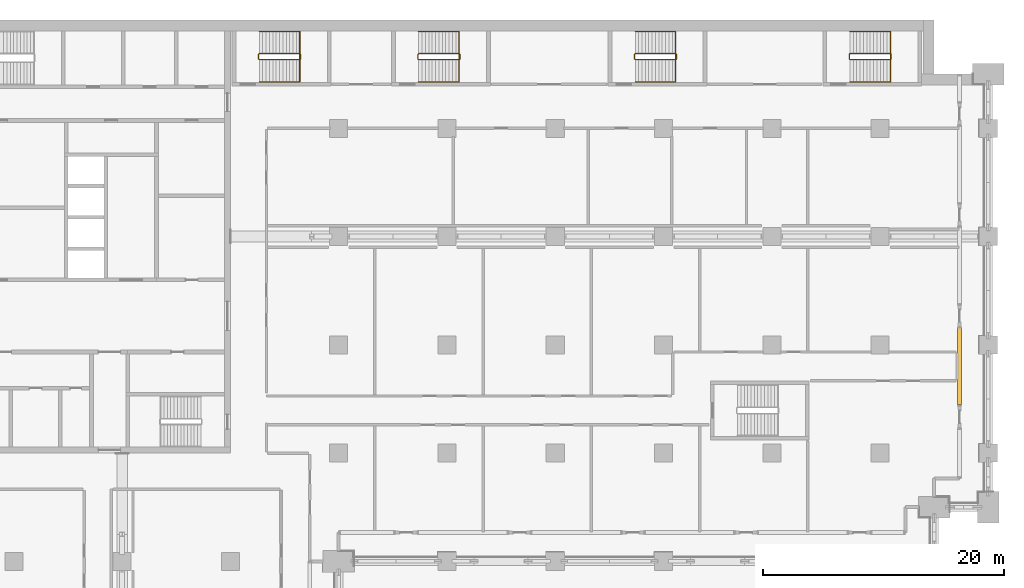
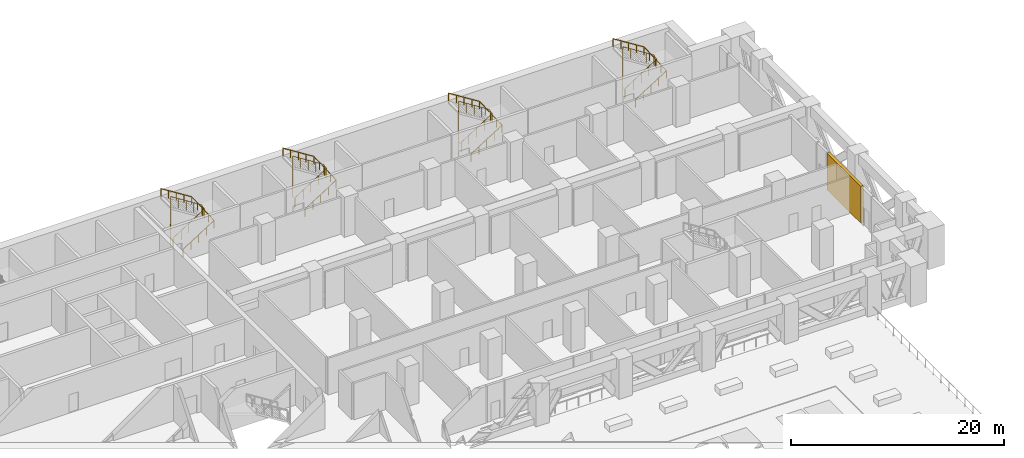
# One storey, part 30 of 31: 8 railings, 1 shading device.
"""IFC4 building model written with IfcOpenShell, lengths in metres."""

from ifc_helpers import new_model, si_unit, direction, frame, origin, origin_2d, place, context, subcontext, project, spatial, rectangle, circle, extrude, material, layer, layer_set, type_object, element, save


model = new_model("IFC4")

# Units and contexts
model_context = context("Model", 3, precision=1e-05, world=origin(), true_north=direction((0.0, 1.0)))
body_context = subcontext(model_context, "Body", "Model", "MODEL_VIEW")
ifc_project = project(units=[si_unit("LENGTHUNIT", "METRE"), si_unit("AREAUNIT", "SQUARE_METRE"), si_unit("VOLUMEUNIT", "CUBIC_METRE"), si_unit("PLANEANGLEUNIT", "RADIAN"), si_unit("MASSUNIT", "GRAM", prefix="KILO")], contexts=[model_context])

# Site, building, storey
site_placement = place(None, origin())
site = spatial("IfcSite", under=ifc_project, at=site_placement, CompositionType="ELEMENT")
building_placement = place(site_placement, origin())
building = spatial("IfcBuilding", under=site, at=building_placement, Name="Hunhe Ridgeline Campus", CompositionType="ELEMENT")
storey_placement = place(building_placement, frame((0.0, 0.0, 31.199951171875)))
storey = spatial("IfcBuildingStorey", under=building, at=storey_placement, Name="L06", CompositionType="ELEMENT", Elevation=31.199951171875)

# Shading device
ifc_material_1 = material(Name="Aluminium 6063", Category="aluminium")
ifc_layer = layer(ifc_material_1, 0.300048828125)
ifc_layer_set = layer_set([ifc_layer], Name="Louvre bank 300 Aluminium 6063")
shading_device_type = type_object("IfcShadingDeviceType", Name="Louvre bank 300 Aluminium 6063", PredefinedType="USERDEFINED", material=ifc_layer_set)
shading_device_placement = place(storey_placement, frame((96.59912109375, 70.20068359375, 0.0), z_axis=(0.0, 0.0, 1.0), x_axis=(0.0, 1.0, 0.0)))
element("IfcShadingDevice", 1, at=shading_device_placement, inside=storey, type_object=shading_device_type, Name="Louvre bank 28", ObjectType="LOUVRE", PredefinedType="USERDEFINED", context=body_context, shape_type="SweptSolid", body=[
    extrude(rectangle(XDim=6.35986328125, YDim=0.300048828125, at=origin_2d()), origin(), (0.0, 0.0, 1.0), 4.199951171875),
])

# Railings
ifc_material_2 = material(Name="Stainless steel balustrade", Category="steel")
railing_type_1 = type_object("IfcRailingType", Name="Stair guard 1100 stainless", PredefinedType="GUARDRAIL", material=ifc_material_2)
railing_1_placement = place(storey_placement, frame((38.39990234375, 95.699951171875, 0.177001953125)))
element("IfcRailing", 2, at=railing_1_placement, inside=storey, type_object=railing_type_1, Name="L06 stair E1 guard", PredefinedType="GUARDRAIL", context=body_context, shape_type="SweptSolid", body=[
    extrude(circle(Radius=0.02392578125, at=origin_2d()), frame((0.0, 0.0, 1.076171875), z_axis=(0.845389635667, 0.0, 0.534150132366), x_axis=(0.0, 1.0, 0.0)), (0.0, 0.0, 1.0), 3.974609375),
    extrude(circle(Radius=0.02392578125, at=origin_2d()), frame((3.360107421875, 0.0, 3.19921875), z_axis=(0.707106781187, 0.707106781187, 0.0), x_axis=(-0.707106781187, 0.707106781187, 0.0)), (0.0, 0.0, 1.0), 0.07080078125),
    extrude(circle(Radius=0.02392578125, at=origin_2d()), frame((3.41015625, 0.050048828125, 3.19921875), z_axis=(0.0, 1.0, 0.0), x_axis=(-1.0, 0.0, 0.0)), (0.0, 0.0, 1.0), 0.39990234375),
    extrude(circle(Radius=0.02392578125, at=origin_2d()), frame((3.41015625, 0.449951171875, 3.19921875), z_axis=(-0.262545553595, 0.262545553595, 0.928514762713), x_axis=(-0.707106781187, -0.707106781187, 0.0)), (0.0, 0.0, 1.0), 0.190673828125),
    extrude(circle(Radius=0.02392578125, at=origin_2d()), frame((3.360107421875, 0.5, 3.3759765625), z_axis=(-0.845389635667, 0.0, 0.534150132366), x_axis=(0.0, -1.0, 0.0)), (0.0, 0.0, 1.0), 3.974609375),
    extrude(circle(Radius=0.02392578125, at=origin_2d()), frame((0.0, 0.5, 5.4990234375), z_axis=(-0.010825600977, -0.010878667648, -0.999882223541), x_axis=(0.708833529934, -0.705375805398, 0.0)), (0.0, 0.0, 1.0), 4.6005859375),
    extrude(circle(Radius=0.02392578125, at=origin_2d()), frame((-0.0498046875, 0.449951171875, 0.89892578125), z_axis=(0.0, -1.0, 0.0), x_axis=(1.0, 0.0, 0.0)), (0.0, 0.0, 1.0), 0.39990234375),
    extrude(circle(Radius=0.02099609375, at=origin_2d()), origin(), (0.0, 0.0, 1.0), 1.052001953125),
    extrude(circle(Radius=0.02099609375, at=origin_2d()), frame((0.840087890625, 0.0, 0.53076171875)), (0.0, 0.0, 1.0), 1.052001953125),
    extrude(circle(Radius=0.02099609375, at=origin_2d()), frame((1.68017578125, 0.0, 1.0615234375)), (0.0, 0.0, 1.0), 1.052001953125),
    extrude(circle(Radius=0.02099609375, at=origin_2d()), frame((2.52001953125, 0.0, 1.59228515625)), (0.0, 0.0, 1.0), 1.052001953125),
    extrude(circle(Radius=0.02099609375, at=origin_2d()), frame((3.360107421875, 0.0, 2.123046875)), (0.0, 0.0, 1.0), 1.052001953125),
    extrude(circle(Radius=0.02099609375, at=origin_2d()), frame((3.41015625, 0.050048828125, 2.123046875)), (0.0, 0.0, 1.0), 1.052001953125),
    extrude(circle(Radius=0.02099609375, at=origin_2d()), frame((3.41015625, 0.449951171875, 2.123046875)), (0.0, 0.0, 1.0), 1.052001953125),
    extrude(circle(Radius=0.02099609375, at=origin_2d()), frame((3.360107421875, 0.5, 2.300048828125)), (0.0, 0.0, 1.0), 1.052001953125),
    extrude(circle(Radius=0.02099609375, at=origin_2d()), frame((2.52001953125, 0.5, 2.830810546875)), (0.0, 0.0, 1.0), 1.052001953125),
    extrude(circle(Radius=0.02099609375, at=origin_2d()), frame((1.68017578125, 0.5, 3.361572265625)), (0.0, 0.0, 1.0), 1.052001953125),
    extrude(circle(Radius=0.02099609375, at=origin_2d()), frame((0.840087890625, 0.5, 3.892333984375)), (0.0, 0.0, 1.0), 1.052001953125),
    extrude(circle(Radius=0.02099609375, at=origin_2d()), frame((0.0, 0.5, 4.423095703125)), (0.0, 0.0, 1.0), 1.052001953125),
    extrude(circle(Radius=0.02099609375, at=origin_2d()), frame((-0.012451171875, 0.487548828125, 3.27294921875)), (0.0, 0.0, 1.0), 1.052001953125),
    extrude(circle(Radius=0.02099609375, at=origin_2d()), frame((-0.02490234375, 0.47509765625, 2.123046875)), (0.0, 0.0, 1.0), 1.052001953125),
    extrude(circle(Radius=0.02099609375, at=origin_2d()), frame((-0.037353515625, 0.46240234375, 0.97314453125)), (0.0, 0.0, 1.0), 1.052001953125),
    extrude(circle(Radius=0.02099609375, at=origin_2d()), frame((-0.0498046875, 0.449951171875, -0.177001953125)), (0.0, 0.0, 1.0), 1.052001953125),
    extrude(circle(Radius=0.02099609375, at=origin_2d()), frame((-0.0498046875, 0.050048828125, -0.177001953125)), (0.0, 0.0, 1.0), 1.052001953125),
])
railing_2_placement = place(storey_placement, frame((51.64990234375, 95.699951171875, 0.177001953125)))
element("IfcRailing", 3, at=railing_2_placement, inside=storey, type_object=railing_type_1, Name="L06 stair E2 guard", PredefinedType="GUARDRAIL", context=body_context, shape_type="SweptSolid", body=[
    extrude(circle(Radius=0.02392578125, at=origin_2d()), frame((0.0, 0.0, 1.076171875), z_axis=(0.845389635667, 0.0, 0.534150132366), x_axis=(0.0, 1.0, 0.0)), (0.0, 0.0, 1.0), 3.974609375),
    extrude(circle(Radius=0.02392578125, at=origin_2d()), frame((3.360107421875, 0.0, 3.19921875), z_axis=(0.707106781187, 0.707106781187, 0.0), x_axis=(-0.707106781187, 0.707106781187, 0.0)), (0.0, 0.0, 1.0), 0.07080078125),
    extrude(circle(Radius=0.02392578125, at=origin_2d()), frame((3.41015625, 0.050048828125, 3.19921875), z_axis=(0.0, 1.0, 0.0), x_axis=(-1.0, 0.0, 0.0)), (0.0, 0.0, 1.0), 0.39990234375),
    extrude(circle(Radius=0.02392578125, at=origin_2d()), frame((3.41015625, 0.449951171875, 3.19921875), z_axis=(-0.262545553595, 0.262545553595, 0.928514762713), x_axis=(-0.707106781187, -0.707106781187, 0.0)), (0.0, 0.0, 1.0), 0.190673828125),
    extrude(circle(Radius=0.02392578125, at=origin_2d()), frame((3.360107421875, 0.5, 3.3759765625), z_axis=(-0.845389635667, 0.0, 0.534150132366), x_axis=(0.0, -1.0, 0.0)), (0.0, 0.0, 1.0), 3.974609375),
    extrude(circle(Radius=0.02392578125, at=origin_2d()), frame((0.0, 0.5, 5.4990234375), z_axis=(-0.010825600977, -0.010878667648, -0.999882223541), x_axis=(0.708833529934, -0.705375805398, 0.0)), (0.0, 0.0, 1.0), 4.6005859375),
    extrude(circle(Radius=0.02392578125, at=origin_2d()), frame((-0.0498046875, 0.449951171875, 0.89892578125), z_axis=(0.0, -1.0, 0.0), x_axis=(1.0, 0.0, 0.0)), (0.0, 0.0, 1.0), 0.39990234375),
    extrude(circle(Radius=0.02099609375, at=origin_2d()), origin(), (0.0, 0.0, 1.0), 1.052001953125),
    extrude(circle(Radius=0.02099609375, at=origin_2d()), frame((0.840087890625, 0.0, 0.53076171875)), (0.0, 0.0, 1.0), 1.052001953125),
    extrude(circle(Radius=0.02099609375, at=origin_2d()), frame((1.68017578125, 0.0, 1.0615234375)), (0.0, 0.0, 1.0), 1.052001953125),
    extrude(circle(Radius=0.02099609375, at=origin_2d()), frame((2.52001953125, 0.0, 1.59228515625)), (0.0, 0.0, 1.0), 1.052001953125),
    extrude(circle(Radius=0.02099609375, at=origin_2d()), frame((3.360107421875, 0.0, 2.123046875)), (0.0, 0.0, 1.0), 1.052001953125),
    extrude(circle(Radius=0.02099609375, at=origin_2d()), frame((3.41015625, 0.050048828125, 2.123046875)), (0.0, 0.0, 1.0), 1.052001953125),
    extrude(circle(Radius=0.02099609375, at=origin_2d()), frame((3.41015625, 0.449951171875, 2.123046875)), (0.0, 0.0, 1.0), 1.052001953125),
    extrude(circle(Radius=0.02099609375, at=origin_2d()), frame((3.360107421875, 0.5, 2.300048828125)), (0.0, 0.0, 1.0), 1.052001953125),
    extrude(circle(Radius=0.02099609375, at=origin_2d()), frame((2.52001953125, 0.5, 2.830810546875)), (0.0, 0.0, 1.0), 1.052001953125),
    extrude(circle(Radius=0.02099609375, at=origin_2d()), frame((1.68017578125, 0.5, 3.361572265625)), (0.0, 0.0, 1.0), 1.052001953125),
    extrude(circle(Radius=0.02099609375, at=origin_2d()), frame((0.840087890625, 0.5, 3.892333984375)), (0.0, 0.0, 1.0), 1.052001953125),
    extrude(circle(Radius=0.02099609375, at=origin_2d()), frame((0.0, 0.5, 4.423095703125)), (0.0, 0.0, 1.0), 1.052001953125),
    extrude(circle(Radius=0.02099609375, at=origin_2d()), frame((-0.012451171875, 0.487548828125, 3.27294921875)), (0.0, 0.0, 1.0), 1.052001953125),
    extrude(circle(Radius=0.02099609375, at=origin_2d()), frame((-0.02490234375, 0.47509765625, 2.123046875)), (0.0, 0.0, 1.0), 1.052001953125),
    extrude(circle(Radius=0.02099609375, at=origin_2d()), frame((-0.037353515625, 0.46240234375, 0.97314453125)), (0.0, 0.0, 1.0), 1.052001953125),
    extrude(circle(Radius=0.02099609375, at=origin_2d()), frame((-0.0498046875, 0.449951171875, -0.177001953125)), (0.0, 0.0, 1.0), 1.052001953125),
    extrude(circle(Radius=0.02099609375, at=origin_2d()), frame((-0.0498046875, 0.050048828125, -0.177001953125)), (0.0, 0.0, 1.0), 1.052001953125),
])
railing_3_placement = place(storey_placement, frame((69.64990234375, 95.699951171875, 0.177001953125)))
element("IfcRailing", 4, at=railing_3_placement, inside=storey, type_object=railing_type_1, Name="L06 stair E3 guard", PredefinedType="GUARDRAIL", context=body_context, shape_type="SweptSolid", body=[
    extrude(circle(Radius=0.02392578125, at=origin_2d()), frame((0.0, 0.0, 1.076171875), z_axis=(0.845389635667, 0.0, 0.534150132366), x_axis=(0.0, 1.0, 0.0)), (0.0, 0.0, 1.0), 3.974609375),
    extrude(circle(Radius=0.02392578125, at=origin_2d()), frame((3.360107421875, 0.0, 3.19921875), z_axis=(0.707106781187, 0.707106781187, 0.0), x_axis=(-0.707106781187, 0.707106781187, 0.0)), (0.0, 0.0, 1.0), 0.07080078125),
    extrude(circle(Radius=0.02392578125, at=origin_2d()), frame((3.41015625, 0.050048828125, 3.19921875), z_axis=(0.0, 1.0, 0.0), x_axis=(-1.0, 0.0, 0.0)), (0.0, 0.0, 1.0), 0.39990234375),
    extrude(circle(Radius=0.02392578125, at=origin_2d()), frame((3.41015625, 0.449951171875, 3.19921875), z_axis=(-0.262545553595, 0.262545553595, 0.928514762713), x_axis=(-0.707106781187, -0.707106781187, 0.0)), (0.0, 0.0, 1.0), 0.190673828125),
    extrude(circle(Radius=0.02392578125, at=origin_2d()), frame((3.360107421875, 0.5, 3.3759765625), z_axis=(-0.845389635667, 0.0, 0.534150132366), x_axis=(0.0, -1.0, 0.0)), (0.0, 0.0, 1.0), 3.974609375),
    extrude(circle(Radius=0.02392578125, at=origin_2d()), frame((0.0, 0.5, 5.4990234375), z_axis=(-0.010825600977, -0.010878667648, -0.999882223541), x_axis=(0.708833529934, -0.705375805398, 0.0)), (0.0, 0.0, 1.0), 4.6005859375),
    extrude(circle(Radius=0.02392578125, at=origin_2d()), frame((-0.0498046875, 0.449951171875, 0.89892578125), z_axis=(0.0, -1.0, 0.0), x_axis=(1.0, 0.0, 0.0)), (0.0, 0.0, 1.0), 0.39990234375),
    extrude(circle(Radius=0.02099609375, at=origin_2d()), origin(), (0.0, 0.0, 1.0), 1.052001953125),
    extrude(circle(Radius=0.02099609375, at=origin_2d()), frame((0.840087890625, 0.0, 0.53076171875)), (0.0, 0.0, 1.0), 1.052001953125),
    extrude(circle(Radius=0.02099609375, at=origin_2d()), frame((1.68017578125, 0.0, 1.0615234375)), (0.0, 0.0, 1.0), 1.052001953125),
    extrude(circle(Radius=0.02099609375, at=origin_2d()), frame((2.52001953125, 0.0, 1.59228515625)), (0.0, 0.0, 1.0), 1.052001953125),
    extrude(circle(Radius=0.02099609375, at=origin_2d()), frame((3.360107421875, 0.0, 2.123046875)), (0.0, 0.0, 1.0), 1.052001953125),
    extrude(circle(Radius=0.02099609375, at=origin_2d()), frame((3.41015625, 0.050048828125, 2.123046875)), (0.0, 0.0, 1.0), 1.052001953125),
    extrude(circle(Radius=0.02099609375, at=origin_2d()), frame((3.41015625, 0.449951171875, 2.123046875)), (0.0, 0.0, 1.0), 1.052001953125),
    extrude(circle(Radius=0.02099609375, at=origin_2d()), frame((3.360107421875, 0.5, 2.300048828125)), (0.0, 0.0, 1.0), 1.052001953125),
    extrude(circle(Radius=0.02099609375, at=origin_2d()), frame((2.52001953125, 0.5, 2.830810546875)), (0.0, 0.0, 1.0), 1.052001953125),
    extrude(circle(Radius=0.02099609375, at=origin_2d()), frame((1.68017578125, 0.5, 3.361572265625)), (0.0, 0.0, 1.0), 1.052001953125),
    extrude(circle(Radius=0.02099609375, at=origin_2d()), frame((0.840087890625, 0.5, 3.892333984375)), (0.0, 0.0, 1.0), 1.052001953125),
    extrude(circle(Radius=0.02099609375, at=origin_2d()), frame((0.0, 0.5, 4.423095703125)), (0.0, 0.0, 1.0), 1.052001953125),
    extrude(circle(Radius=0.02099609375, at=origin_2d()), frame((-0.012451171875, 0.487548828125, 3.27294921875)), (0.0, 0.0, 1.0), 1.052001953125),
    extrude(circle(Radius=0.02099609375, at=origin_2d()), frame((-0.02490234375, 0.47509765625, 2.123046875)), (0.0, 0.0, 1.0), 1.052001953125),
    extrude(circle(Radius=0.02099609375, at=origin_2d()), frame((-0.037353515625, 0.46240234375, 0.97314453125)), (0.0, 0.0, 1.0), 1.052001953125),
    extrude(circle(Radius=0.02099609375, at=origin_2d()), frame((-0.0498046875, 0.449951171875, -0.177001953125)), (0.0, 0.0, 1.0), 1.052001953125),
    extrude(circle(Radius=0.02099609375, at=origin_2d()), frame((-0.0498046875, 0.050048828125, -0.177001953125)), (0.0, 0.0, 1.0), 1.052001953125),
])
railing_4_placement = place(storey_placement, frame((87.5, 95.699951171875, 0.177001953125)))
element("IfcRailing", 5, at=railing_4_placement, inside=storey, type_object=railing_type_1, Name="L06 stair E4 guard", PredefinedType="GUARDRAIL", context=body_context, shape_type="SweptSolid", body=[
    extrude(circle(Radius=0.02392578125, at=origin_2d()), frame((0.0, 0.0, 1.076171875), z_axis=(0.845389635667, 0.0, 0.534150132366), x_axis=(0.0, 1.0, 0.0)), (0.0, 0.0, 1.0), 3.974609375),
    extrude(circle(Radius=0.02392578125, at=origin_2d()), frame((3.360107421875, 0.0, 3.19921875), z_axis=(0.705375805398, 0.708833529934, 0.0), x_axis=(-0.708833529934, 0.705375805398, 0.0)), (0.0, 0.0, 1.0), 0.070556640625),
    extrude(circle(Radius=0.02392578125, at=origin_2d()), frame((3.409912109375, 0.050048828125, 3.19921875), z_axis=(0.0, 1.0, 0.0), x_axis=(-1.0, 0.0, 0.0)), (0.0, 0.0, 1.0), 0.39990234375),
    extrude(circle(Radius=0.02392578125, at=origin_2d()), frame((3.409912109375, 0.449951171875, 3.19921875), z_axis=(-0.261352522353, 0.262633662168, 0.928826366204), x_axis=(-0.708833529934, -0.705375805398, 0.0)), (0.0, 0.0, 1.0), 0.190673828125),
    extrude(circle(Radius=0.02392578125, at=origin_2d()), frame((3.360107421875, 0.5, 3.3759765625), z_axis=(-0.845389635667, 0.0, 0.534150132366), x_axis=(0.0, -1.0, 0.0)), (0.0, 0.0, 1.0), 3.974609375),
    extrude(circle(Radius=0.02392578125, at=origin_2d()), frame((0.0, 0.5, 5.4990234375), z_axis=(-0.010878661383, -0.010878661383, -0.999881647723), x_axis=(0.707106781187, -0.707106781187, 0.0)), (0.0, 0.0, 1.0), 4.6005859375),
    extrude(circle(Radius=0.02392578125, at=origin_2d()), frame((-0.050048828125, 0.449951171875, 0.89892578125), z_axis=(0.0, -1.0, 0.0), x_axis=(1.0, 0.0, 0.0)), (0.0, 0.0, 1.0), 0.39990234375),
    extrude(circle(Radius=0.02099609375, at=origin_2d()), origin(), (0.0, 0.0, 1.0), 1.052001953125),
    extrude(circle(Radius=0.02099609375, at=origin_2d()), frame((0.840087890625, 0.0, 0.53076171875)), (0.0, 0.0, 1.0), 1.052001953125),
    extrude(circle(Radius=0.02099609375, at=origin_2d()), frame((1.68017578125, 0.0, 1.0615234375)), (0.0, 0.0, 1.0), 1.052001953125),
    extrude(circle(Radius=0.02099609375, at=origin_2d()), frame((2.52001953125, 0.0, 1.59228515625)), (0.0, 0.0, 1.0), 1.052001953125),
    extrude(circle(Radius=0.02099609375, at=origin_2d()), frame((3.360107421875, 0.0, 2.123046875)), (0.0, 0.0, 1.0), 1.052001953125),
    extrude(circle(Radius=0.02099609375, at=origin_2d()), frame((3.409912109375, 0.050048828125, 2.123046875)), (0.0, 0.0, 1.0), 1.052001953125),
    extrude(circle(Radius=0.02099609375, at=origin_2d()), frame((3.409912109375, 0.449951171875, 2.123046875)), (0.0, 0.0, 1.0), 1.052001953125),
    extrude(circle(Radius=0.02099609375, at=origin_2d()), frame((3.360107421875, 0.5, 2.300048828125)), (0.0, 0.0, 1.0), 1.052001953125),
    extrude(circle(Radius=0.02099609375, at=origin_2d()), frame((2.52001953125, 0.5, 2.830810546875)), (0.0, 0.0, 1.0), 1.052001953125),
    extrude(circle(Radius=0.02099609375, at=origin_2d()), frame((1.68017578125, 0.5, 3.361572265625)), (0.0, 0.0, 1.0), 1.052001953125),
    extrude(circle(Radius=0.02099609375, at=origin_2d()), frame((0.840087890625, 0.5, 3.892333984375)), (0.0, 0.0, 1.0), 1.052001953125),
    extrude(circle(Radius=0.02099609375, at=origin_2d()), frame((0.0, 0.5, 4.423095703125)), (0.0, 0.0, 1.0), 1.052001953125),
    extrude(circle(Radius=0.02099609375, at=origin_2d()), frame((-0.012451171875, 0.487548828125, 3.27294921875)), (0.0, 0.0, 1.0), 1.052001953125),
    extrude(circle(Radius=0.02099609375, at=origin_2d()), frame((-0.02490234375, 0.47509765625, 2.123046875)), (0.0, 0.0, 1.0), 1.052001953125),
    extrude(circle(Radius=0.02099609375, at=origin_2d()), frame((-0.03759765625, 0.46240234375, 0.97314453125)), (0.0, 0.0, 1.0), 1.052001953125),
    extrude(circle(Radius=0.02099609375, at=origin_2d()), frame((-0.050048828125, 0.449951171875, -0.177001953125)), (0.0, 0.0, 1.0), 1.052001953125),
    extrude(circle(Radius=0.02099609375, at=origin_2d()), frame((-0.050048828125, 0.050048828125, -0.177001953125)), (0.0, 0.0, 1.0), 1.052001953125),
])
ifc_material_3 = material(Name="Stainless steel handrail", Category="steel")
railing_type_2 = type_object("IfcRailingType", Name="Stair handrail 900 stainless", PredefinedType="HANDRAIL", material=ifc_material_3)
railing_5_placement = place(storey_placement, frame((38.39990234375, 93.85009765625, 0.177001953125)))
element("IfcRailing", 6, at=railing_5_placement, inside=storey, type_object=railing_type_2, Name="L06 stair E1 handrail", PredefinedType="HANDRAIL", context=body_context, shape_type="SweptSolid", body=[
    extrude(circle(Radius=0.02392578125, at=origin_2d()), frame((0.0, 0.0, 0.8759765625), z_axis=(0.845389635667, 0.0, 0.534150132366), x_axis=(0.0, 1.0, 0.0)), (0.0, 0.0, 1.0), 3.974609375),
    extrude(circle(Radius=0.02392578125, at=origin_2d()), frame((3.360107421875, 0.0, 2.9990234375), z_axis=(0.0, 0.999113130752, 0.042106436075), x_axis=(-1.0, 0.0, 0.0)), (0.0, 0.0, 1.0), 4.20361328125),
    extrude(circle(Radius=0.02392578125, at=origin_2d()), frame((3.360107421875, 4.199951171875, 3.17578125), z_axis=(-0.845389635667, 0.0, 0.534150132366), x_axis=(0.0, -1.0, 0.0)), (0.0, 0.0, 1.0), 3.974609375),
    extrude(circle(Radius=0.02099609375, at=origin_2d()), origin(), (0.0, 0.0, 1.0), 0.851806640625),
    extrude(circle(Radius=0.02099609375, at=origin_2d()), frame((0.840087890625, 0.0, 0.53076171875)), (0.0, 0.0, 1.0), 0.851806640625),
    extrude(circle(Radius=0.02099609375, at=origin_2d()), frame((1.68017578125, 0.0, 1.0615234375)), (0.0, 0.0, 1.0), 0.851806640625),
    extrude(circle(Radius=0.02099609375, at=origin_2d()), frame((2.52001953125, 0.0, 1.59228515625)), (0.0, 0.0, 1.0), 0.851806640625),
    extrude(circle(Radius=0.02099609375, at=origin_2d()), frame((3.360107421875, 0.0, 2.123046875)), (0.0, 0.0, 1.0), 0.851806640625),
    extrude(circle(Radius=0.02099609375, at=origin_2d()), frame((3.360107421875, 1.050048828125, 2.167236328125)), (0.0, 0.0, 1.0), 0.851806640625),
    extrude(circle(Radius=0.02099609375, at=origin_2d()), frame((3.360107421875, 2.10009765625, 2.21142578125)), (0.0, 0.0, 1.0), 0.851806640625),
    extrude(circle(Radius=0.02099609375, at=origin_2d()), frame((3.360107421875, 3.14990234375, 2.255859375)), (0.0, 0.0, 1.0), 0.851806640625),
    extrude(circle(Radius=0.02099609375, at=origin_2d()), frame((3.360107421875, 4.199951171875, 2.300048828125)), (0.0, 0.0, 1.0), 0.851806640625),
    extrude(circle(Radius=0.02099609375, at=origin_2d()), frame((2.52001953125, 4.199951171875, 2.830810546875)), (0.0, 0.0, 1.0), 0.851806640625),
    extrude(circle(Radius=0.02099609375, at=origin_2d()), frame((1.68017578125, 4.199951171875, 3.361572265625)), (0.0, 0.0, 1.0), 0.851806640625),
    extrude(circle(Radius=0.02099609375, at=origin_2d()), frame((0.840087890625, 4.199951171875, 3.892333984375)), (0.0, 0.0, 1.0), 0.851806640625),
    extrude(circle(Radius=0.02099609375, at=origin_2d()), frame((0.0, 4.199951171875, 4.423095703125)), (0.0, 0.0, 1.0), 0.851806640625),
])
railing_6_placement = place(storey_placement, frame((51.64990234375, 93.85009765625, 0.177001953125)))
element("IfcRailing", 7, at=railing_6_placement, inside=storey, type_object=railing_type_2, Name="L06 stair E2 handrail", PredefinedType="HANDRAIL", context=body_context, shape_type="SweptSolid", body=[
    extrude(circle(Radius=0.02392578125, at=origin_2d()), frame((0.0, 0.0, 0.8759765625), z_axis=(0.845389635667, 0.0, 0.534150132366), x_axis=(0.0, 1.0, 0.0)), (0.0, 0.0, 1.0), 3.974609375),
    extrude(circle(Radius=0.02392578125, at=origin_2d()), frame((3.360107421875, 0.0, 2.9990234375), z_axis=(0.0, 0.999113130752, 0.042106436075), x_axis=(-1.0, 0.0, 0.0)), (0.0, 0.0, 1.0), 4.20361328125),
    extrude(circle(Radius=0.02392578125, at=origin_2d()), frame((3.360107421875, 4.199951171875, 3.17578125), z_axis=(-0.845389635667, 0.0, 0.534150132366), x_axis=(0.0, -1.0, 0.0)), (0.0, 0.0, 1.0), 3.974609375),
    extrude(circle(Radius=0.02099609375, at=origin_2d()), origin(), (0.0, 0.0, 1.0), 0.851806640625),
    extrude(circle(Radius=0.02099609375, at=origin_2d()), frame((0.840087890625, 0.0, 0.53076171875)), (0.0, 0.0, 1.0), 0.851806640625),
    extrude(circle(Radius=0.02099609375, at=origin_2d()), frame((1.68017578125, 0.0, 1.0615234375)), (0.0, 0.0, 1.0), 0.851806640625),
    extrude(circle(Radius=0.02099609375, at=origin_2d()), frame((2.52001953125, 0.0, 1.59228515625)), (0.0, 0.0, 1.0), 0.851806640625),
    extrude(circle(Radius=0.02099609375, at=origin_2d()), frame((3.360107421875, 0.0, 2.123046875)), (0.0, 0.0, 1.0), 0.851806640625),
    extrude(circle(Radius=0.02099609375, at=origin_2d()), frame((3.360107421875, 1.050048828125, 2.167236328125)), (0.0, 0.0, 1.0), 0.851806640625),
    extrude(circle(Radius=0.02099609375, at=origin_2d()), frame((3.360107421875, 2.10009765625, 2.21142578125)), (0.0, 0.0, 1.0), 0.851806640625),
    extrude(circle(Radius=0.02099609375, at=origin_2d()), frame((3.360107421875, 3.14990234375, 2.255859375)), (0.0, 0.0, 1.0), 0.851806640625),
    extrude(circle(Radius=0.02099609375, at=origin_2d()), frame((3.360107421875, 4.199951171875, 2.300048828125)), (0.0, 0.0, 1.0), 0.851806640625),
    extrude(circle(Radius=0.02099609375, at=origin_2d()), frame((2.52001953125, 4.199951171875, 2.830810546875)), (0.0, 0.0, 1.0), 0.851806640625),
    extrude(circle(Radius=0.02099609375, at=origin_2d()), frame((1.68017578125, 4.199951171875, 3.361572265625)), (0.0, 0.0, 1.0), 0.851806640625),
    extrude(circle(Radius=0.02099609375, at=origin_2d()), frame((0.840087890625, 4.199951171875, 3.892333984375)), (0.0, 0.0, 1.0), 0.851806640625),
    extrude(circle(Radius=0.02099609375, at=origin_2d()), frame((0.0, 4.199951171875, 4.423095703125)), (0.0, 0.0, 1.0), 0.851806640625),
])
railing_7_placement = place(storey_placement, frame((69.64990234375, 93.85009765625, 0.177001953125)))
element("IfcRailing", 8, at=railing_7_placement, inside=storey, type_object=railing_type_2, Name="L06 stair E3 handrail", PredefinedType="HANDRAIL", context=body_context, shape_type="SweptSolid", body=[
    extrude(circle(Radius=0.02392578125, at=origin_2d()), frame((0.0, 0.0, 0.8759765625), z_axis=(0.845389635667, 0.0, 0.534150132366), x_axis=(0.0, 1.0, 0.0)), (0.0, 0.0, 1.0), 3.974609375),
    extrude(circle(Radius=0.02392578125, at=origin_2d()), frame((3.360107421875, 0.0, 2.9990234375), z_axis=(0.0, 0.999113130752, 0.042106436075), x_axis=(-1.0, 0.0, 0.0)), (0.0, 0.0, 1.0), 4.20361328125),
    extrude(circle(Radius=0.02392578125, at=origin_2d()), frame((3.360107421875, 4.199951171875, 3.17578125), z_axis=(-0.845389635667, 0.0, 0.534150132366), x_axis=(0.0, -1.0, 0.0)), (0.0, 0.0, 1.0), 3.974609375),
    extrude(circle(Radius=0.02099609375, at=origin_2d()), origin(), (0.0, 0.0, 1.0), 0.851806640625),
    extrude(circle(Radius=0.02099609375, at=origin_2d()), frame((0.840087890625, 0.0, 0.53076171875)), (0.0, 0.0, 1.0), 0.851806640625),
    extrude(circle(Radius=0.02099609375, at=origin_2d()), frame((1.68017578125, 0.0, 1.0615234375)), (0.0, 0.0, 1.0), 0.851806640625),
    extrude(circle(Radius=0.02099609375, at=origin_2d()), frame((2.52001953125, 0.0, 1.59228515625)), (0.0, 0.0, 1.0), 0.851806640625),
    extrude(circle(Radius=0.02099609375, at=origin_2d()), frame((3.360107421875, 0.0, 2.123046875)), (0.0, 0.0, 1.0), 0.851806640625),
    extrude(circle(Radius=0.02099609375, at=origin_2d()), frame((3.360107421875, 1.050048828125, 2.167236328125)), (0.0, 0.0, 1.0), 0.851806640625),
    extrude(circle(Radius=0.02099609375, at=origin_2d()), frame((3.360107421875, 2.10009765625, 2.21142578125)), (0.0, 0.0, 1.0), 0.851806640625),
    extrude(circle(Radius=0.02099609375, at=origin_2d()), frame((3.360107421875, 3.14990234375, 2.255859375)), (0.0, 0.0, 1.0), 0.851806640625),
    extrude(circle(Radius=0.02099609375, at=origin_2d()), frame((3.360107421875, 4.199951171875, 2.300048828125)), (0.0, 0.0, 1.0), 0.851806640625),
    extrude(circle(Radius=0.02099609375, at=origin_2d()), frame((2.52001953125, 4.199951171875, 2.830810546875)), (0.0, 0.0, 1.0), 0.851806640625),
    extrude(circle(Radius=0.02099609375, at=origin_2d()), frame((1.68017578125, 4.199951171875, 3.361572265625)), (0.0, 0.0, 1.0), 0.851806640625),
    extrude(circle(Radius=0.02099609375, at=origin_2d()), frame((0.840087890625, 4.199951171875, 3.892333984375)), (0.0, 0.0, 1.0), 0.851806640625),
    extrude(circle(Radius=0.02099609375, at=origin_2d()), frame((0.0, 4.199951171875, 4.423095703125)), (0.0, 0.0, 1.0), 0.851806640625),
])
railing_8_placement = place(storey_placement, frame((87.5, 93.85009765625, 0.177001953125)))
element("IfcRailing", 9, at=railing_8_placement, inside=storey, type_object=railing_type_2, Name="L06 stair E4 handrail", PredefinedType="HANDRAIL", context=body_context, shape_type="SweptSolid", body=[
    extrude(circle(Radius=0.02392578125, at=origin_2d()), frame((0.0, 0.0, 0.8759765625), z_axis=(0.845389635667, 0.0, 0.534150132366), x_axis=(0.0, 1.0, 0.0)), (0.0, 0.0, 1.0), 3.974609375),
    extrude(circle(Radius=0.02392578125, at=origin_2d()), frame((3.360107421875, 0.0, 2.9990234375), z_axis=(0.0, 0.999113130752, 0.042106436075), x_axis=(-1.0, 0.0, 0.0)), (0.0, 0.0, 1.0), 4.20361328125),
    extrude(circle(Radius=0.02392578125, at=origin_2d()), frame((3.360107421875, 4.199951171875, 3.17578125), z_axis=(-0.845389635667, 0.0, 0.534150132366), x_axis=(0.0, -1.0, 0.0)), (0.0, 0.0, 1.0), 3.974609375),
    extrude(circle(Radius=0.02099609375, at=origin_2d()), origin(), (0.0, 0.0, 1.0), 0.851806640625),
    extrude(circle(Radius=0.02099609375, at=origin_2d()), frame((0.840087890625, 0.0, 0.53076171875)), (0.0, 0.0, 1.0), 0.851806640625),
    extrude(circle(Radius=0.02099609375, at=origin_2d()), frame((1.68017578125, 0.0, 1.0615234375)), (0.0, 0.0, 1.0), 0.851806640625),
    extrude(circle(Radius=0.02099609375, at=origin_2d()), frame((2.52001953125, 0.0, 1.59228515625)), (0.0, 0.0, 1.0), 0.851806640625),
    extrude(circle(Radius=0.02099609375, at=origin_2d()), frame((3.360107421875, 0.0, 2.123046875)), (0.0, 0.0, 1.0), 0.851806640625),
    extrude(circle(Radius=0.02099609375, at=origin_2d()), frame((3.360107421875, 1.050048828125, 2.167236328125)), (0.0, 0.0, 1.0), 0.851806640625),
    extrude(circle(Radius=0.02099609375, at=origin_2d()), frame((3.360107421875, 2.10009765625, 2.21142578125)), (0.0, 0.0, 1.0), 0.851806640625),
    extrude(circle(Radius=0.02099609375, at=origin_2d()), frame((3.360107421875, 3.14990234375, 2.255859375)), (0.0, 0.0, 1.0), 0.851806640625),
    extrude(circle(Radius=0.02099609375, at=origin_2d()), frame((3.360107421875, 4.199951171875, 2.300048828125)), (0.0, 0.0, 1.0), 0.851806640625),
    extrude(circle(Radius=0.02099609375, at=origin_2d()), frame((2.52001953125, 4.199951171875, 2.830810546875)), (0.0, 0.0, 1.0), 0.851806640625),
    extrude(circle(Radius=0.02099609375, at=origin_2d()), frame((1.68017578125, 4.199951171875, 3.361572265625)), (0.0, 0.0, 1.0), 0.851806640625),
    extrude(circle(Radius=0.02099609375, at=origin_2d()), frame((0.840087890625, 4.199951171875, 3.892333984375)), (0.0, 0.0, 1.0), 0.851806640625),
    extrude(circle(Radius=0.02099609375, at=origin_2d()), frame((0.0, 4.199951171875, 4.423095703125)), (0.0, 0.0, 1.0), 0.851806640625),
])

save(model, "model.ifc")
